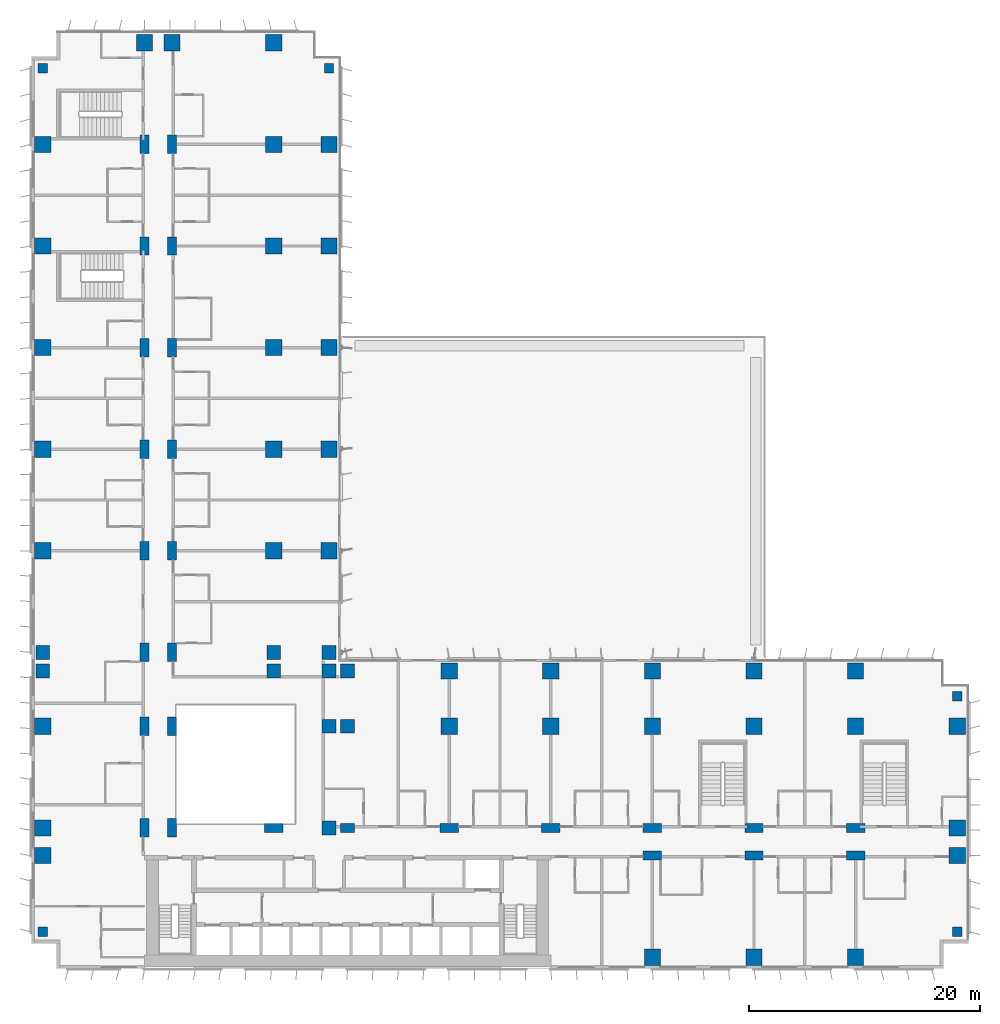
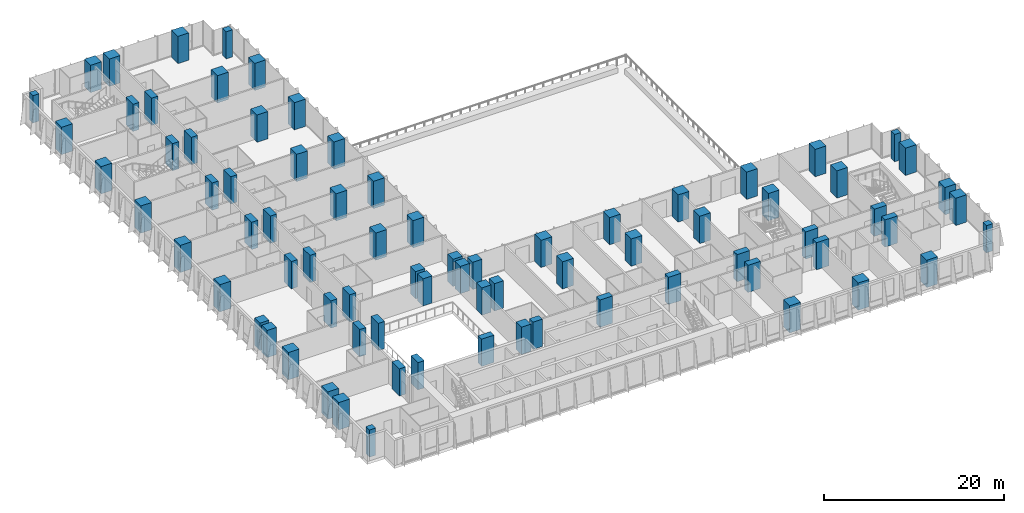
# One storey, part 1 of 23: 78 columns.
"""IFC4 building model written with IfcOpenShell, lengths in metres."""

from ifc_helpers import new_model, si_unit, direction, frame, origin, origin_2d, place, context, subcontext, project, spatial, rectangle, extrude, material, material_profile, profile_set, type_object, element, save


model = new_model("IFC4")

# Units and contexts
model_context = context("Model", 3, precision=1e-05, world=origin(), true_north=direction((0.0, 1.0)))
body_context = subcontext(model_context, "Body", "Model", "MODEL_VIEW")
ifc_project = project(units=[si_unit("LENGTHUNIT", "METRE"), si_unit("AREAUNIT", "SQUARE_METRE"), si_unit("VOLUMEUNIT", "CUBIC_METRE"), si_unit("PLANEANGLEUNIT", "RADIAN"), si_unit("MASSUNIT", "GRAM", prefix="KILO")], contexts=[model_context])

# Site, building, storey
site_placement = place(None, origin())
site = spatial("IfcSite", under=ifc_project, at=site_placement, CompositionType="ELEMENT")
building_placement = place(site_placement, origin())
building = spatial("IfcBuilding", under=site, at=building_placement, Name="Kemantara Hotel Tower", CompositionType="ELEMENT")
storey_placement = place(building_placement, frame((0.0, 0.0, 34.0)))
storey = spatial("IfcBuildingStorey", under=building, at=storey_placement, Name="L06", CompositionType="ELEMENT", Elevation=34.0)

# Columns
ifc_material = material(Name="Concrete fc 70 MPa", Category="concrete")
ifc_material_profile_1 = material_profile(ifc_material, rectangle(XDim=1.199951171875, YDim=1.199951171875, at=origin_2d()), Name="RC 1200X1200")
ifc_profile_set_1 = profile_set([ifc_material_profile_1], Name="Concrete fc 70 MPa")
column_type_1 = type_object("IfcColumnType", Name="RC COLUMN 1200X1200 FC70", PredefinedType="COLUMN", material=ifc_profile_set_1)
for number, where, z_axis, x_axis, name in (
    (1, (1.0, 25.800048828125, 0.0), (0.0, 0.0, 1.0), (1.0, 0.0, 0.0), "COLUMN 1/CA L06"),
    (2, (1.0, 27.39990234375, 0.0), (0.0, 0.0, 1.0), (1.0, 0.0, 0.0), "COLUMN 1/D L06"),
    (3, (21.0, 25.800048828125, 0.0), (0.0, 0.0, 1.0), (1.0, 0.0, 0.0), "COLUMN 3/CA L06"),
    (4, (21.0, 27.39990234375, 0.0), (0.0, 0.0, 1.0), (1.0, 0.0, 0.0), "COLUMN 3/D L06"),
    (5, (25.800048828125, 12.199951171875, 0.0), (0.0, 0.0, 1.0), (1.0, 0.0, 0.0), "COLUMN 3A/BA L06"),
    (6, (25.800048828125, 21.0, 0.0), (0.0, 0.0, 1.0), (1.0, 0.0, 0.0), "COLUMN 3A/C L06"),
    (7, (25.800048828125, 25.800048828125, 0.0), (0.0, 0.0, 1.0), (1.0, 0.0, 0.0), "COLUMN 3A/CA L06"),
    (8, (25.800048828125, 27.39990234375, 0.0), (0.0, 0.0, 1.0), (1.0, 0.0, 0.0), "COLUMN 3A/D L06"),
    (9, (27.39990234375, 21.0, 0.0), (0.0, 0.0, 1.0), (1.0, 0.0, 0.0), "COLUMN 4/C L06"),
    (10, (27.39990234375, 25.800048828125, 0.0), (0.0, 0.0, 1.0), (1.0, 0.0, 0.0), "COLUMN 4/CA L06"),
):
    element("IfcColumn", number, at=place(storey_placement, frame(where, z_axis=z_axis, x_axis=x_axis)), inside=storey, type_object=column_type_1, Name=name, PredefinedType="COLUMN", context=body_context, shape_type="SweptSolid", body=[
        extrude(rectangle(XDim=1.199951171875, YDim=1.199951171875, at=origin_2d()), origin(), (0.0, 0.0, 1.0), 3.699951171875),
    ])
ifc_material_profile_2 = material_profile(ifc_material, rectangle(XDim=1.199951171875, YDim=0.800048828125, at=origin_2d()), Name="RC 1200X800")
ifc_profile_set_2 = profile_set([ifc_material_profile_2], Name="Concrete fc 70 MPa")
column_type_2 = type_object("IfcColumnType", Name="RC COLUMN 1200X800 FC70", PredefinedType="COLUMN", material=ifc_profile_set_2)
column_placement = place(storey_placement, frame((27.39990234375, 12.199951171875, 0.0), z_axis=(0.0, 0.0, 1.0), x_axis=(1.0, 0.0, 0.0)))
element("IfcColumn", 11, at=column_placement, inside=storey, type_object=column_type_2, Name="COLUMN 4/BA L06", PredefinedType="COLUMN", context=body_context, shape_type="SweptSolid", body=[
    extrude(rectangle(XDim=1.199951171875, YDim=0.800048828125, at=origin_2d()), origin(), (0.0, 0.0, 1.0), 3.699951171875),
])
ifc_material_profile_3 = material_profile(ifc_material, rectangle(XDim=1.39990234375, YDim=1.39990234375, at=origin_2d()), Name="RC 1400X1400")
ifc_profile_set_3 = profile_set([ifc_material_profile_3], Name="Concrete fc 70 MPa")
column_type_3 = type_object("IfcColumnType", Name="RC COLUMN 1400X1400 FC70", PredefinedType="COLUMN", material=ifc_profile_set_3)
for number, where, z_axis, x_axis, name in (
    (12, (1.0, 9.800048828125, 0.0), (0.0, 0.0, 1.0), (1.0, 0.0, 0.0), "COLUMN 1/B L06"),
    (13, (1.0, 12.199951171875, 0.0), (0.0, 0.0, 1.0), (1.0, 0.0, 0.0), "COLUMN 1/BA L06"),
    (14, (1.0, 21.0, 0.0), (0.0, 0.0, 1.0), (1.0, 0.0, 0.0), "COLUMN 1/C L06"),
    (15, (1.0, 36.199951171875, 0.0), (0.0, 0.0, 1.0), (1.0, 0.0, 0.0), "COLUMN 1/E L06"),
    (16, (1.0, 45.0, 0.0), (0.0, 0.0, 1.0), (1.0, 0.0, 0.0), "COLUMN 1/F L06"),
    (17, (1.0, 53.800048828125, 0.0), (0.0, 0.0, 1.0), (1.0, 0.0, 0.0), "COLUMN 1/G L06"),
    (18, (1.0, 62.60009765625, 0.0), (0.0, 0.0, 1.0), (1.0, 0.0, 0.0), "COLUMN 1/H L06"),
    (19, (1.0, 71.39990234375, 0.0), (0.0, 0.0, 1.0), (1.0, 0.0, 0.0), "COLUMN 1/J L06"),
    (20, (9.800048828125, 80.199951171875, 0.0), (0.0, 0.0, 1.0), (1.0, 0.0, 0.0), "COLUMN 2/K L06"),
    (21, (12.199951171875, 80.199951171875, 0.0), (0.0, 0.0, 1.0), (1.0, 0.0, 0.0), "COLUMN 2A/K L06"),
    (22, (21.0, 36.199951171875, 0.0), (0.0, 0.0, 1.0), (1.0, 0.0, 0.0), "COLUMN 3/E L06"),
    (23, (21.0, 45.0, 0.0), (0.0, 0.0, 1.0), (1.0, 0.0, 0.0), "COLUMN 3/F L06"),
    (24, (21.0, 53.800048828125, 0.0), (0.0, 0.0, 1.0), (1.0, 0.0, 0.0), "COLUMN 3/G L06"),
    (25, (21.0, 62.60009765625, 0.0), (0.0, 0.0, 1.0), (1.0, 0.0, 0.0), "COLUMN 3/H L06"),
    (26, (21.0, 71.39990234375, 0.0), (0.0, 0.0, 1.0), (1.0, 0.0, 0.0), "COLUMN 3/J L06"),
    (27, (21.0, 80.199951171875, 0.0), (0.0, 0.0, 1.0), (1.0, 0.0, 0.0), "COLUMN 3/K L06"),
    (28, (25.800048828125, 36.199951171875, 0.0), (0.0, 0.0, 1.0), (1.0, 0.0, 0.0), "COLUMN 3A/E L06"),
    (29, (25.800048828125, 45.0, 0.0), (0.0, 0.0, 1.0), (1.0, 0.0, 0.0), "COLUMN 3A/F L06"),
    (30, (25.800048828125, 53.800048828125, 0.0), (0.0, 0.0, 1.0), (1.0, 0.0, 0.0), "COLUMN 3A/G L06"),
    (31, (25.800048828125, 62.60009765625, 0.0), (0.0, 0.0, 1.0), (1.0, 0.0, 0.0), "COLUMN 3A/H L06"),
    (32, (25.800048828125, 71.39990234375, 0.0), (0.0, 0.0, 1.0), (1.0, 0.0, 0.0), "COLUMN 3A/J L06"),
    (33, (36.199951171875, 21.0, 0.0), (0.0, 0.0, 1.0), (1.0, 0.0, 0.0), "COLUMN 5/C L06"),
    (34, (36.199951171875, 25.800048828125, 0.0), (0.0, 0.0, 1.0), (1.0, 0.0, 0.0), "COLUMN 5/CA L06"),
    (35, (45.0, 21.0, 0.0), (0.0, 0.0, 1.0), (1.0, 0.0, 0.0), "COLUMN 6/C L06"),
    (36, (45.0, 25.800048828125, 0.0), (0.0, 0.0, 1.0), (1.0, 0.0, 0.0), "COLUMN 6/CA L06"),
    (37, (53.800048828125, 1.0, 0.0), (0.0, 0.0, 1.0), (1.0, 0.0, 0.0), "COLUMN 7/A L06"),
    (38, (53.800048828125, 21.0, 0.0), (0.0, 0.0, 1.0), (1.0, 0.0, 0.0), "COLUMN 7/C L06"),
    (39, (53.800048828125, 25.800048828125, 0.0), (0.0, 0.0, 1.0), (1.0, 0.0, 0.0), "COLUMN 7/CA L06"),
    (40, (62.60009765625, 1.0, 0.0), (0.0, 0.0, 1.0), (1.0, 0.0, 0.0), "COLUMN 8/A L06"),
    (41, (62.60009765625, 21.0, 0.0), (0.0, 0.0, 1.0), (1.0, 0.0, 0.0), "COLUMN 8/C L06"),
    (42, (62.60009765625, 25.800048828125, 0.0), (0.0, 0.0, 1.0), (1.0, 0.0, 0.0), "COLUMN 8/CA L06"),
    (43, (71.39990234375, 1.0, 0.0), (0.0, 0.0, 1.0), (1.0, 0.0, 0.0), "COLUMN 9/A L06"),
    (44, (71.39990234375, 21.0, 0.0), (0.0, 0.0, 1.0), (1.0, 0.0, 0.0), "COLUMN 9/C L06"),
    (45, (71.39990234375, 25.800048828125, 0.0), (0.0, 0.0, 1.0), (1.0, 0.0, 0.0), "COLUMN 9/CA L06"),
    (46, (80.199951171875, 9.800048828125, 0.0), (0.0, 0.0, 1.0), (1.0, 0.0, 0.0), "COLUMN 10/B L06"),
    (47, (80.199951171875, 12.199951171875, 0.0), (0.0, 0.0, 1.0), (1.0, 0.0, 0.0), "COLUMN 10/BA L06"),
    (48, (80.199951171875, 21.0, 0.0), (0.0, 0.0, 1.0), (1.0, 0.0, 0.0), "COLUMN 10/C L06"),
):
    element("IfcColumn", number, at=place(storey_placement, frame(where, z_axis=z_axis, x_axis=x_axis)), inside=storey, type_object=column_type_3, Name=name, PredefinedType="COLUMN", context=body_context, shape_type="SweptSolid", body=[
        extrude(rectangle(XDim=1.39990234375, YDim=1.39990234375, at=origin_2d()), origin(), (0.0, 0.0, 1.0), 3.699951171875),
    ])
ifc_material_profile_4 = material_profile(ifc_material, rectangle(XDim=1.60009765625, YDim=0.800048828125, at=origin_2d()), Name="RC 1600X800")
ifc_profile_set_4 = profile_set([ifc_material_profile_4], Name="Concrete fc 70 MPa")
column_type_4 = type_object("IfcColumnType", Name="RC COLUMN 1600X800 FC70", PredefinedType="COLUMN", material=ifc_profile_set_4)
for number, where, z_axis, x_axis, name in (
    (49, (9.800048828125, 12.199951171875, 0.0), (0.0, 0.0, 1.0), (0.0, 1.0, 0.0), "COLUMN 2/BA L06"),
    (50, (9.800048828125, 21.0, 0.0), (0.0, 0.0, 1.0), (0.0, 1.0, 0.0), "COLUMN 2/C L06"),
    (51, (9.800048828125, 27.39990234375, 0.0), (0.0, 0.0, 1.0), (0.0, 1.0, 0.0), "COLUMN 2/D L06"),
    (52, (9.800048828125, 36.199951171875, 0.0), (0.0, 0.0, 1.0), (0.0, 1.0, 0.0), "COLUMN 2/E L06"),
    (53, (9.800048828125, 45.0, 0.0), (0.0, 0.0, 1.0), (0.0, 1.0, 0.0), "COLUMN 2/F L06"),
    (54, (9.800048828125, 53.800048828125, 0.0), (0.0, 0.0, 1.0), (0.0, 1.0, 0.0), "COLUMN 2/G L06"),
    (55, (9.800048828125, 62.60009765625, 0.0), (0.0, 0.0, 1.0), (0.0, 1.0, 0.0), "COLUMN 2/H L06"),
    (56, (9.800048828125, 71.39990234375, 0.0), (0.0, 0.0, 1.0), (0.0, 1.0, 0.0), "COLUMN 2/J L06"),
    (57, (12.199951171875, 12.199951171875, 0.0), (0.0, 0.0, 1.0), (0.0, 1.0, 0.0), "COLUMN 2A/BA L06"),
    (58, (12.199951171875, 21.0, 0.0), (0.0, 0.0, 1.0), (0.0, 1.0, 0.0), "COLUMN 2A/C L06"),
    (59, (12.199951171875, 27.39990234375, 0.0), (0.0, 0.0, 1.0), (0.0, 1.0, 0.0), "COLUMN 2A/D L06"),
    (60, (12.199951171875, 36.199951171875, 0.0), (0.0, 0.0, 1.0), (0.0, 1.0, 0.0), "COLUMN 2A/E L06"),
    (61, (12.199951171875, 45.0, 0.0), (0.0, 0.0, 1.0), (0.0, 1.0, 0.0), "COLUMN 2A/F L06"),
    (62, (12.199951171875, 53.800048828125, 0.0), (0.0, 0.0, 1.0), (0.0, 1.0, 0.0), "COLUMN 2A/G L06"),
    (63, (12.199951171875, 62.60009765625, 0.0), (0.0, 0.0, 1.0), (0.0, 1.0, 0.0), "COLUMN 2A/H L06"),
    (64, (12.199951171875, 71.39990234375, 0.0), (0.0, 0.0, 1.0), (0.0, 1.0, 0.0), "COLUMN 2A/J L06"),
    (65, (21.0, 12.199951171875, 0.0), (0.0, 0.0, 1.0), (1.0, 0.0, 0.0), "COLUMN 3/BA L06"),
    (66, (36.199951171875, 12.199951171875, 0.0), (0.0, 0.0, 1.0), (1.0, 0.0, 0.0), "COLUMN 5/BA L06"),
    (67, (45.0, 12.199951171875, 0.0), (0.0, 0.0, 1.0), (1.0, 0.0, 0.0), "COLUMN 6/BA L06"),
    (68, (53.800048828125, 9.800048828125, 0.0), (0.0, 0.0, 1.0), (1.0, 0.0, 0.0), "COLUMN 7/B L06"),
    (69, (53.800048828125, 12.199951171875, 0.0), (0.0, 0.0, 1.0), (1.0, 0.0, 0.0), "COLUMN 7/BA L06"),
    (70, (62.60009765625, 9.800048828125, 0.0), (0.0, 0.0, 1.0), (1.0, 0.0, 0.0), "COLUMN 8/B L06"),
    (71, (62.60009765625, 12.199951171875, 0.0), (0.0, 0.0, 1.0), (1.0, 0.0, 0.0), "COLUMN 8/BA L06"),
    (72, (71.39990234375, 9.800048828125, 0.0), (0.0, 0.0, 1.0), (1.0, 0.0, 0.0), "COLUMN 9/B L06"),
    (73, (71.39990234375, 12.199951171875, 0.0), (0.0, 0.0, 1.0), (1.0, 0.0, 0.0), "COLUMN 9/BA L06"),
):
    element("IfcColumn", number, at=place(storey_placement, frame(where, z_axis=z_axis, x_axis=x_axis)), inside=storey, type_object=column_type_4, Name=name, PredefinedType="COLUMN", context=body_context, shape_type="SweptSolid", body=[
        extrude(rectangle(XDim=1.60009765625, YDim=0.800048828125, at=origin_2d()), origin(), (0.0, 0.0, 1.0), 3.699951171875),
    ])
ifc_material_profile_5 = material_profile(ifc_material, rectangle(XDim=0.800048828125, YDim=0.800048828125, at=origin_2d()), Name="RC 800X800")
ifc_profile_set_5 = profile_set([ifc_material_profile_5], Name="Concrete fc 70 MPa")
column_type_5 = type_object("IfcColumnType", Name="RC COLUMN 800X800 FC70", PredefinedType="COLUMN", material=ifc_profile_set_5)
for number, where, z_axis, x_axis, name in (
    (74, (1.0, 3.199951171875, 0.0), (0.0, 0.0, 1.0), (1.0, 0.0, 0.0), "COLUMN notch corner L06"),
    (75, (1.0, 78.0, 0.0), (0.0, 0.0, 1.0), (1.0, 0.0, 0.0), "COLUMN notch corner L06"),
    (76, (25.800048828125, 78.0, 0.0), (0.0, 0.0, 1.0), (1.0, 0.0, 0.0), "COLUMN notch corner L06"),
    (77, (80.199951171875, 3.199951171875, 0.0), (0.0, 0.0, 1.0), (1.0, 0.0, 0.0), "COLUMN notch corner L06"),
    (78, (80.199951171875, 23.60009765625, 0.0), (0.0, 0.0, 1.0), (1.0, 0.0, 0.0), "COLUMN notch corner L06"),
):
    element("IfcColumn", number, at=place(storey_placement, frame(where, z_axis=z_axis, x_axis=x_axis)), inside=storey, type_object=column_type_5, Name=name, PredefinedType="COLUMN", context=body_context, shape_type="SweptSolid", body=[
        extrude(rectangle(XDim=0.800048828125, YDim=0.800048828125, at=origin_2d()), origin(), (0.0, 0.0, 1.0), 3.699951171875),
    ])

save(model, "model.ifc")
